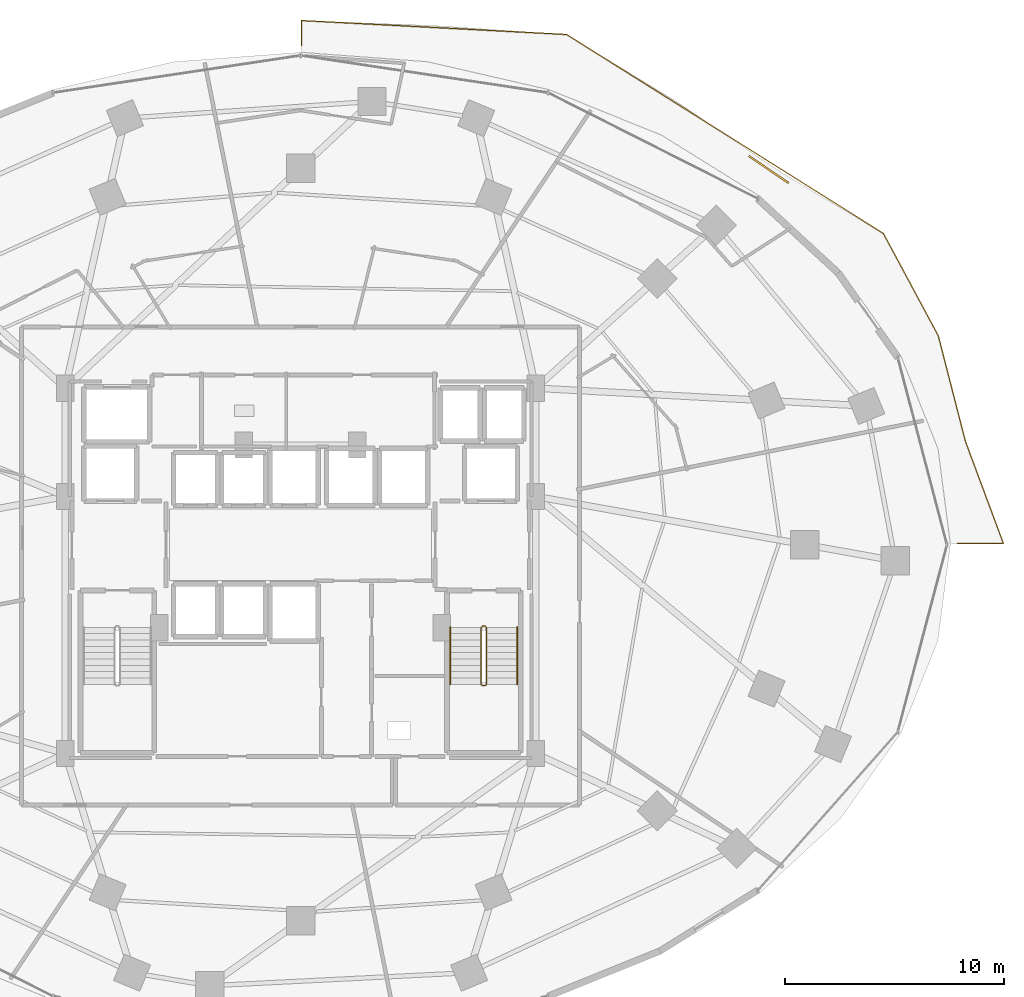
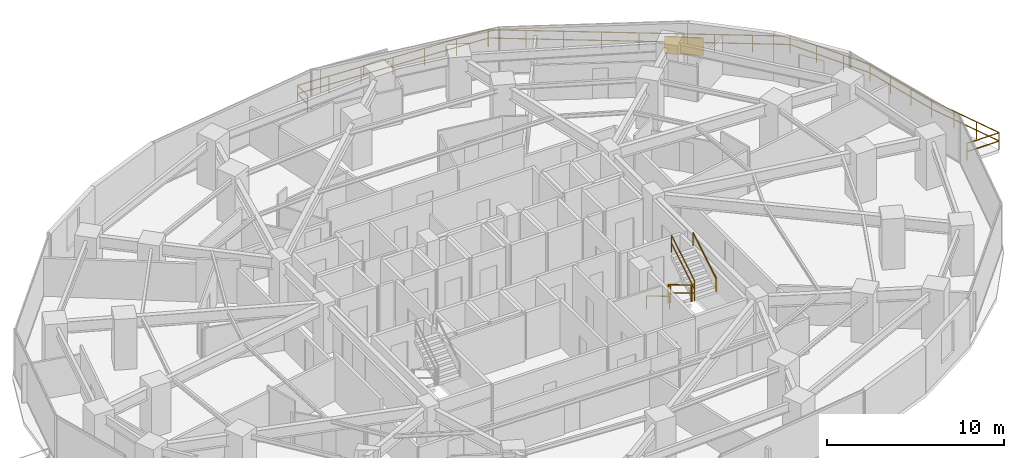
# One storey, part 32 of 33: 8 railings, 1 shading device.
"""IFC4 building model written with IfcOpenShell, lengths in metres."""

from ifc_helpers import new_model, si_unit, direction, frame, origin, origin_2d, place, context, subcontext, project, spatial, rectangle, extrude, material, type_object, element, save


model = new_model("IFC4")

# Units and contexts
model_context = context("Model", 3, precision=1e-05, world=origin(), true_north=direction((0.0, 1.0)))
body_context = subcontext(model_context, "Body", "Model", "MODEL_VIEW")
ifc_project = project(units=[si_unit("LENGTHUNIT", "METRE"), si_unit("AREAUNIT", "SQUARE_METRE"), si_unit("VOLUMEUNIT", "CUBIC_METRE"), si_unit("PLANEANGLEUNIT", "RADIAN"), si_unit("MASSUNIT", "GRAM", prefix="KILO")], contexts=[model_context])

# Site, building, storey
site_placement = place(None, origin())
site = spatial("IfcSite", under=ifc_project, at=site_placement, CompositionType="ELEMENT")
building_placement = place(site_placement, origin())
building = spatial("IfcBuilding", under=site, at=building_placement, Name="Vorneva Point Tower", CompositionType="ELEMENT")
storey_placement = place(building_placement, frame((0.0, 0.0, 38.0)))
storey = spatial("IfcBuildingStorey", under=building, at=storey_placement, Name="L09", CompositionType="ELEMENT", Elevation=38.0)

# Railings
ifc_material_1 = material(Name="Pale anodised aluminium", Category="aluminium")
railing_type_1 = type_object("IfcRailingType", Name="RL-BAL-1200", PredefinedType="BALUSTRADE", material=ifc_material_1)
railing_1_placement = place(storey_placement, frame((38.050048828125, 49.953125, 0.0)))
element("IfcRailing", 1, at=railing_1_placement, inside=storey, type_object=railing_type_1, Name="L09 Wave Balcony Balustrade NE.1", PredefinedType="BALUSTRADE", context=body_context, shape_type="SweptSolid", body=[
    extrude(rectangle(XDim=0.048095703125, YDim=0.048095703125, at=origin_2d()), frame((0.0, 0.0, 1.17578125), z_axis=(0.0, -1.0, 0.0), x_axis=(1.0, 0.0, 0.0)), (0.0, 0.0, 1.0), 1.135986328125),
    extrude(rectangle(XDim=0.048095703125, YDim=0.048095703125, at=origin_2d()), frame((0.0, 0.0, 0.60009765625), z_axis=(0.0, -1.0, 0.0), x_axis=(1.0, 0.0, 0.0)), (0.0, 0.0, 1.0), 1.135986328125),
    extrude(rectangle(XDim=0.0419921875, YDim=0.0419921875, at=origin_2d()), origin(), (0.0, 0.0, 1.0), 1.15185546875),
    extrude(rectangle(XDim=0.0419921875, YDim=0.0419921875, at=origin_2d()), frame((0.0, -1.135986328125, 0.0)), (0.0, 0.0, 1.0), 1.15185546875),
])
railing_2_placement = place(storey_placement, frame((68.01611328125, 26.050048828125, 0.0)))
element("IfcRailing", 2, at=railing_2_placement, inside=storey, type_object=railing_type_1, Name="L09 Wave Balcony Balustrade NE.2", PredefinedType="BALUSTRADE", context=body_context, shape_type="SweptSolid", body=[
    extrude(rectangle(XDim=0.048095703125, YDim=0.048095703125, at=origin_2d()), frame((0.0, 0.0, 1.17578125), z_axis=(1.0, 0.0, 0.0), x_axis=(0.0, 1.0, 0.0)), (0.0, 0.0, 1.0), 2.1103515625),
    extrude(rectangle(XDim=0.048095703125, YDim=0.048095703125, at=origin_2d()), frame((0.0, 0.0, 0.60009765625), z_axis=(1.0, 0.0, 0.0), x_axis=(0.0, 1.0, 0.0)), (0.0, 0.0, 1.0), 2.1103515625),
    extrude(rectangle(XDim=0.048095703125, YDim=0.048095703125, at=origin_2d()), frame((2.1103515625, 0.0, 1.17578125), z_axis=(-0.348512507877, 0.93730412986, 0.0), x_axis=(-0.93730412986, -0.348512507877, 0.0)), (0.0, 0.0, 1.0), 4.98291015625),
    extrude(rectangle(XDim=0.048095703125, YDim=0.048095703125, at=origin_2d()), frame((2.1103515625, 0.0, 0.60009765625), z_axis=(-0.348512507877, 0.93730412986, 0.0), x_axis=(-0.93730412986, -0.348512507877, 0.0)), (0.0, 0.0, 1.0), 4.98291015625),
    extrude(rectangle(XDim=0.048095703125, YDim=0.048095703125, at=origin_2d()), frame((0.373779296875, 4.67041015625, 1.17578125), z_axis=(-0.248837480299, 0.968545253666, 0.0), x_axis=(-0.968545253666, -0.248837480299, 0.0)), (0.0, 0.0, 1.0), 4.982177734375),
    extrude(rectangle(XDim=0.048095703125, YDim=0.048095703125, at=origin_2d()), frame((0.373779296875, 4.67041015625, 0.60009765625), z_axis=(-0.248837480299, 0.968545253666, 0.0), x_axis=(-0.968545253666, -0.248837480299, 0.0)), (0.0, 0.0, 1.0), 4.982177734375),
    extrude(rectangle(XDim=0.048095703125, YDim=0.048095703125, at=origin_2d()), frame((-0.865966796875, 9.495849609375, 1.17578125), z_axis=(-0.472973767155, 0.881076509495, 0.0), x_axis=(-0.881076509495, -0.472973767155, 0.0)), (0.0, 0.0, 1.0), 5.302734375),
    extrude(rectangle(XDim=0.048095703125, YDim=0.048095703125, at=origin_2d()), frame((-0.865966796875, 9.495849609375, 0.60009765625), z_axis=(-0.472973767155, 0.881076509495, 0.0), x_axis=(-0.881076509495, -0.472973767155, 0.0)), (0.0, 0.0, 1.0), 5.302734375),
    extrude(rectangle(XDim=0.048095703125, YDim=0.048095703125, at=origin_2d()), frame((-3.3740234375, 14.16796875, 1.17578125), z_axis=(-0.846791603268, 0.531924788513, 0.0), x_axis=(-0.531924788513, -0.846791603268, 0.0)), (0.0, 0.0, 1.0), 17.103271484375),
    extrude(rectangle(XDim=0.048095703125, YDim=0.048095703125, at=origin_2d()), frame((-3.3740234375, 14.16796875, 0.60009765625), z_axis=(-0.846791603268, 0.531924788513, 0.0), x_axis=(-0.531924788513, -0.846791603268, 0.0)), (0.0, 0.0, 1.0), 17.103271484375),
    extrude(rectangle(XDim=0.048095703125, YDim=0.048095703125, at=origin_2d()), frame((-17.85693359375, 23.265625, 1.17578125), z_axis=(-0.998617273094, 0.052569400594, 0.0), x_axis=(-0.052569400594, -0.998617273094, 0.0)), (0.0, 0.0, 1.0), 12.1259765625),
    extrude(rectangle(XDim=0.048095703125, YDim=0.048095703125, at=origin_2d()), frame((-17.85693359375, 23.265625, 0.60009765625), z_axis=(-0.998617273094, 0.052569400594, 0.0), x_axis=(-0.052569400594, -0.998617273094, 0.0)), (0.0, 0.0, 1.0), 12.1259765625),
    extrude(rectangle(XDim=0.0419921875, YDim=0.0419921875, at=origin_2d()), origin(), (0.0, 0.0, 1.0), 1.15185546875),
    extrude(rectangle(XDim=0.0419921875, YDim=0.0419921875, at=origin_2d()), frame((2.1103515625, 0.0, 0.0)), (0.0, 0.0, 1.0), 1.15185546875),
    extrude(rectangle(XDim=0.0419921875, YDim=0.0419921875, at=origin_2d()), frame((1.531494140625, 1.556884765625, 0.0)), (0.0, 0.0, 1.0), 1.15185546875),
    extrude(rectangle(XDim=0.0419921875, YDim=0.0419921875, at=origin_2d()), frame((0.95263671875, 3.113525390625, 0.0)), (0.0, 0.0, 1.0), 1.15185546875),
    extrude(rectangle(XDim=0.0419921875, YDim=0.0419921875, at=origin_2d()), frame((0.373779296875, 4.67041015625, 0.0)), (0.0, 0.0, 1.0), 1.15185546875),
    extrude(rectangle(XDim=0.0419921875, YDim=0.0419921875, at=origin_2d()), frame((-0.03955078125, 6.27880859375, 0.0)), (0.0, 0.0, 1.0), 1.15185546875),
    extrude(rectangle(XDim=0.0419921875, YDim=0.0419921875, at=origin_2d()), frame((-0.45263671875, 7.887451171875, 0.0)), (0.0, 0.0, 1.0), 1.15185546875),
    extrude(rectangle(XDim=0.0419921875, YDim=0.0419921875, at=origin_2d()), frame((-0.865966796875, 9.495849609375, 0.0)), (0.0, 0.0, 1.0), 1.15185546875),
    extrude(rectangle(XDim=0.0419921875, YDim=0.0419921875, at=origin_2d()), frame((-1.701904296875, 11.05322265625, 0.0)), (0.0, 0.0, 1.0), 1.15185546875),
    extrude(rectangle(XDim=0.0419921875, YDim=0.0419921875, at=origin_2d()), frame((-2.5380859375, 12.610595703125, 0.0)), (0.0, 0.0, 1.0), 1.15185546875),
    extrude(rectangle(XDim=0.0419921875, YDim=0.0419921875, at=origin_2d()), frame((-3.3740234375, 14.16796875, 0.0)), (0.0, 0.0, 1.0), 1.15185546875),
    extrude(rectangle(XDim=0.0419921875, YDim=0.0419921875, at=origin_2d()), frame((-5.184326171875, 15.30517578125, 0.0)), (0.0, 0.0, 1.0), 1.15185546875),
    extrude(rectangle(XDim=0.0419921875, YDim=0.0419921875, at=origin_2d()), frame((-6.99462890625, 16.4423828125, 0.0)), (0.0, 0.0, 1.0), 1.15185546875),
    extrude(rectangle(XDim=0.0419921875, YDim=0.0419921875, at=origin_2d()), frame((-8.80517578125, 17.57958984375, 0.0)), (0.0, 0.0, 1.0), 1.15185546875),
    extrude(rectangle(XDim=0.0419921875, YDim=0.0419921875, at=origin_2d()), frame((-10.615478515625, 18.716796875, 0.0)), (0.0, 0.0, 1.0), 1.15185546875),
    extrude(rectangle(XDim=0.0419921875, YDim=0.0419921875, at=origin_2d()), frame((-12.42578125, 19.85400390625, 0.0)), (0.0, 0.0, 1.0), 1.15185546875),
    extrude(rectangle(XDim=0.0419921875, YDim=0.0419921875, at=origin_2d()), frame((-14.236328125, 20.9912109375, 0.0)), (0.0, 0.0, 1.0), 1.15185546875),
    extrude(rectangle(XDim=0.0419921875, YDim=0.0419921875, at=origin_2d()), frame((-16.046630859375, 22.12841796875, 0.0)), (0.0, 0.0, 1.0), 1.15185546875),
    extrude(rectangle(XDim=0.0419921875, YDim=0.0419921875, at=origin_2d()), frame((-17.85693359375, 23.265625, 0.0)), (0.0, 0.0, 1.0), 1.15185546875),
    extrude(rectangle(XDim=0.0419921875, YDim=0.0419921875, at=origin_2d()), frame((-19.875, 23.371826171875, 0.0)), (0.0, 0.0, 1.0), 1.15185546875),
    extrude(rectangle(XDim=0.0419921875, YDim=0.0419921875, at=origin_2d()), frame((-21.893310546875, 23.47802734375, 0.0)), (0.0, 0.0, 1.0), 1.15185546875),
    extrude(rectangle(XDim=0.0419921875, YDim=0.0419921875, at=origin_2d()), frame((-23.91162109375, 23.58447265625, 0.0)), (0.0, 0.0, 1.0), 1.15185546875),
    extrude(rectangle(XDim=0.0419921875, YDim=0.0419921875, at=origin_2d()), frame((-25.9296875, 23.690673828125, 0.0)), (0.0, 0.0, 1.0), 1.15185546875),
    extrude(rectangle(XDim=0.0419921875, YDim=0.0419921875, at=origin_2d()), frame((-27.94775390625, 23.796875, 0.0)), (0.0, 0.0, 1.0), 1.15185546875),
    extrude(rectangle(XDim=0.0419921875, YDim=0.0419921875, at=origin_2d()), frame((-29.966064453125, 23.903076171875, 0.0)), (0.0, 0.0, 1.0), 1.15185546875),
])
ifc_material_2 = material(Name="Brushed stainless steel S304", Category="steel")
railing_type_2 = type_object("IfcRailingType", Name="RL-HND-920", PredefinedType="HANDRAIL", material=ifc_material_2)
railing_3_placement = place(storey_placement, frame((44.85009765625, 22.219970703125, 0.175048828125)))
element("IfcRailing", 3, at=railing_3_placement, inside=storey, type_object=railing_type_2, Name="L09 ST2 stair handrail 1", PredefinedType="HANDRAIL", context=body_context, shape_type="SweptSolid", body=[
    extrude(rectangle(XDim=0.048095703125, YDim=0.048095703125, at=origin_2d()), frame((0.0, 0.0, 0.8759765625), z_axis=(0.0, -0.85618277418, 0.516673066065), x_axis=(1.0, 0.0, 0.0)), (0.0, 0.0, 1.0), 3.04833984375),
    extrude(rectangle(XDim=0.0419921875, YDim=0.0419921875, at=origin_2d()), origin(), (0.0, 0.0, 1.0), 0.851806640625),
    extrude(rectangle(XDim=0.0419921875, YDim=0.0419921875, at=origin_2d()), frame((0.0, -2.60986328125, 1.574951171875)), (0.0, 0.0, 1.0), 0.851806640625),
])
railing_4_placement = place(storey_placement, frame((47.89990234375, 19.610107421875, 1.925048828125)))
element("IfcRailing", 4, at=railing_4_placement, inside=storey, type_object=railing_type_2, Name="L09 ST2 stair handrail 2", PredefinedType="HANDRAIL", context=body_context, shape_type="SweptSolid", body=[
    extrude(rectangle(XDim=0.048095703125, YDim=0.048095703125, at=origin_2d()), frame((0.0, 0.0, 0.8759765625), z_axis=(0.0, 0.85618277418, 0.516673066065), x_axis=(-1.0, 0.0, 0.0)), (0.0, 0.0, 1.0), 3.04833984375),
    extrude(rectangle(XDim=0.0419921875, YDim=0.0419921875, at=origin_2d()), origin(), (0.0, 0.0, 1.0), 0.851806640625),
    extrude(rectangle(XDim=0.0419921875, YDim=0.0419921875, at=origin_2d()), frame((0.0, 2.60986328125, 1.574951171875)), (0.0, 0.0, 1.0), 0.851806640625),
])
railing_type_3 = type_object("IfcRailingType", Name="RL-STG-1100", PredefinedType="GUARDRAIL", material=ifc_material_2)
railing_5_placement = place(storey_placement, frame((46.25, 22.219970703125, 0.175048828125)))
element("IfcRailing", 5, at=railing_5_placement, inside=storey, type_object=railing_type_3, Name="L09 ST2 stair guard 1", PredefinedType="GUARDRAIL", context=body_context, shape_type="SweptSolid", body=[
    extrude(rectangle(XDim=0.048095703125, YDim=0.048095703125, at=origin_2d()), frame((0.0, 0.0, 1.17578125), z_axis=(0.0, -0.85618277418, 0.516673066065), x_axis=(1.0, 0.0, 0.0)), (0.0, 0.0, 1.0), 3.04833984375),
    extrude(rectangle(XDim=0.048095703125, YDim=0.048095703125, at=origin_2d()), frame((0.0, 0.0, 0.60009765625), z_axis=(0.0, -0.85618277418, 0.516673066065), x_axis=(1.0, 0.0, 0.0)), (0.0, 0.0, 1.0), 3.04833984375),
    extrude(rectangle(XDim=0.0419921875, YDim=0.0419921875, at=origin_2d()), origin(), (0.0, 0.0, 1.0), 1.15185546875),
    extrude(rectangle(XDim=0.0419921875, YDim=0.0419921875, at=origin_2d()), frame((0.0, -2.60986328125, 1.574951171875)), (0.0, 0.0, 1.0), 1.15185546875),
])
railing_6_placement = place(storey_placement, frame((46.300048828125, 19.56005859375, 1.75)))
element("IfcRailing", 6, at=railing_6_placement, inside=storey, type_object=railing_type_3, Name="L09 ST2 stair guard 2", PredefinedType="GUARDRAIL", context=body_context, shape_type="SweptSolid", body=[
    extrude(rectangle(XDim=0.048095703125, YDim=0.048095703125, at=origin_2d()), frame((0.0, 0.0, 1.17578125), z_axis=(1.0, 0.0, 0.0), x_axis=(0.0, 1.0, 0.0)), (0.0, 0.0, 1.0), 0.14990234375),
    extrude(rectangle(XDim=0.048095703125, YDim=0.048095703125, at=origin_2d()), frame((0.0, 0.0, 0.60009765625), z_axis=(1.0, 0.0, 0.0), x_axis=(0.0, 1.0, 0.0)), (0.0, 0.0, 1.0), 0.14990234375),
    extrude(rectangle(XDim=0.0419921875, YDim=0.0419921875, at=origin_2d()), origin(), (0.0, 0.0, 1.0), 1.15185546875),
    extrude(rectangle(XDim=0.0419921875, YDim=0.0419921875, at=origin_2d()), frame((0.14990234375, 0.0, 0.0)), (0.0, 0.0, 1.0), 1.15185546875),
])
railing_7_placement = place(storey_placement, frame((46.5, 19.610107421875, 1.925048828125)))
element("IfcRailing", 7, at=railing_7_placement, inside=storey, type_object=railing_type_3, Name="L09 ST2 stair guard 3", PredefinedType="GUARDRAIL", context=body_context, shape_type="SweptSolid", body=[
    extrude(rectangle(XDim=0.048095703125, YDim=0.048095703125, at=origin_2d()), frame((0.0, 0.0, 1.17578125), z_axis=(0.0, 0.85618277418, 0.516673066065), x_axis=(-1.0, 0.0, 0.0)), (0.0, 0.0, 1.0), 3.04833984375),
    extrude(rectangle(XDim=0.048095703125, YDim=0.048095703125, at=origin_2d()), frame((0.0, 0.0, 0.60009765625), z_axis=(0.0, 0.85618277418, 0.516673066065), x_axis=(-1.0, 0.0, 0.0)), (0.0, 0.0, 1.0), 3.04833984375),
    extrude(rectangle(XDim=0.0419921875, YDim=0.0419921875, at=origin_2d()), origin(), (0.0, 0.0, 1.0), 1.15185546875),
    extrude(rectangle(XDim=0.0419921875, YDim=0.0419921875, at=origin_2d()), frame((0.0, 2.60986328125, 1.574951171875)), (0.0, 0.0, 1.0), 1.15185546875),
])
railing_8_placement = place(storey_placement, frame((46.300048828125, 22.27001953125, 0.0)))
element("IfcRailing", 8, at=railing_8_placement, inside=storey, type_object=railing_type_3, Name="L09 ST2 stair guard 4", PredefinedType="GUARDRAIL", context=body_context, shape_type="SweptSolid", body=[
    extrude(rectangle(XDim=0.048095703125, YDim=0.048095703125, at=origin_2d()), frame((0.0, 0.0, 1.17578125), z_axis=(1.0, 0.0, 0.0), x_axis=(0.0, 1.0, 0.0)), (0.0, 0.0, 1.0), 0.14990234375),
    extrude(rectangle(XDim=0.048095703125, YDim=0.048095703125, at=origin_2d()), frame((0.0, 0.0, 0.60009765625), z_axis=(1.0, 0.0, 0.0), x_axis=(0.0, 1.0, 0.0)), (0.0, 0.0, 1.0), 0.14990234375),
    extrude(rectangle(XDim=0.0419921875, YDim=0.0419921875, at=origin_2d()), origin(), (0.0, 0.0, 1.0), 1.15185546875),
    extrude(rectangle(XDim=0.0419921875, YDim=0.0419921875, at=origin_2d()), frame((0.14990234375, 0.0, 0.0)), (0.0, 0.0, 1.0), 1.15185546875),
])

# Shading device
shading_device_type = type_object("IfcShadingDeviceType", Name="SHD-JAL-1200", PredefinedType="JALOUSIE", material=ifc_material_1)
shading_device_placement = place(storey_placement, frame((59.395263671875, 43.144775390625, -0.02001953125), z_axis=(0.0, 0.0, 1.0), x_axis=(-0.827100194182, 0.562054506951, 0.0)))
element("IfcShadingDevice", 9, at=shading_device_placement, inside=storey, type_object=shading_device_type, Name="L09 Balcony Vertical-Greenery Planter Screen NE.2", PredefinedType="JALOUSIE", context=body_context, shape_type="SweptSolid", body=[
    extrude(rectangle(XDim=2.199951171875, YDim=0.080078125, at=origin_2d()), origin(), (0.0, 0.0, 1.0), 1.199951171875),
])

save(model, "model.ifc")
